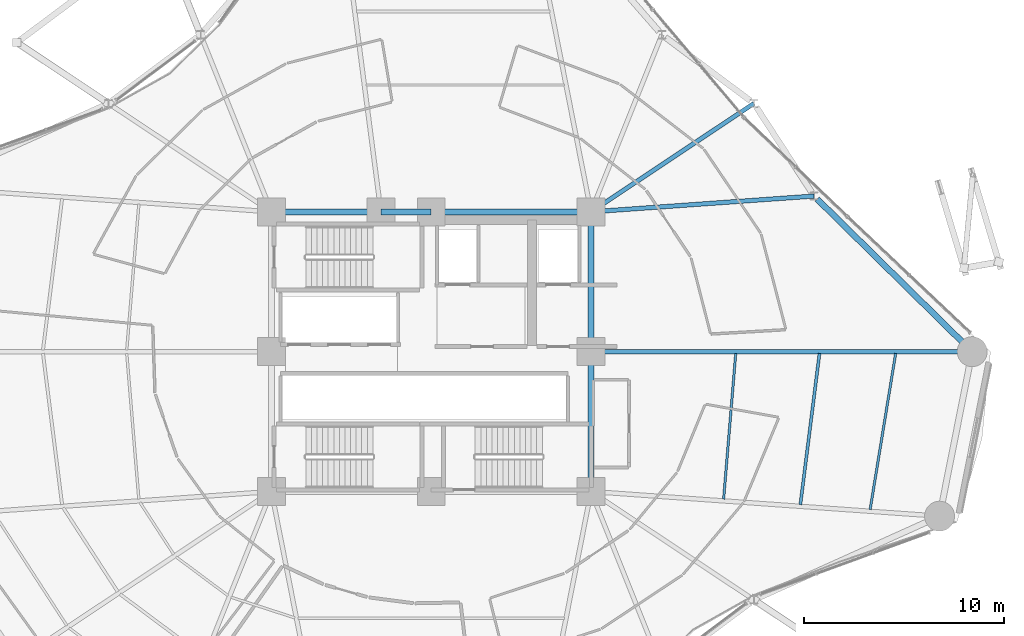
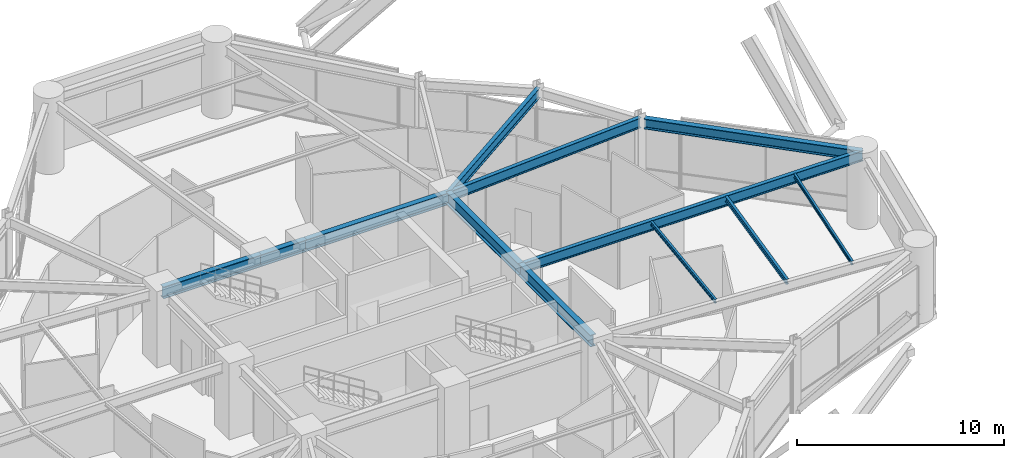
# One storey, part 25 of 55: 12 beams.
"""IFC4 building model written with IfcOpenShell, lengths in metres."""

import ifcopenshell
import ifcopenshell.guid

model = None  # the IFC model being written
_history = None  # IfcOwnerHistory: only IFC2X3 demands one
_inside = {}  # id of a spatial element -> (the spatial element, [elements in it])
_under = {}  # id of a project, library or spatial element -> (it, [spatial elements below it])
_declared = {}  # id of a project -> (the project, [libraries it declares])
_typed = {}  # id of a type object -> (the type object, [elements of that type])
_made_of = {}  # id of a material, layer set ... -> (it, [elements and type objects made of it])


def new_model(schema):
    """Start an empty IFC model of exactly this schema.

    Asked for "IFC4X3", IfcOpenShell would pick the latest addendum, in which some entities
    have other attributes; the version numbers below select the first issue.
    IFC2X3 requires an IfcOwnerHistory on every rooted entity: one is made here for all.
    """
    global model, _history
    if schema == "IFC4X3":
        model = ifcopenshell.file(schema_version=(4, 3, 0, 0))
    else:
        model = ifcopenshell.file(schema=schema)
    _inside.clear()
    _under.clear()
    _declared.clear()
    _typed.clear()
    _made_of.clear()
    _history = None
    if model.schema == "IFC2X3":
        org = make("IfcOrganization", Name="unknown")
        user = make(
            "IfcPersonAndOrganization",
            ThePerson=make("IfcPerson", FamilyName="unknown"),
            TheOrganization=org,
        )
        app = make(
            "IfcApplication",
            ApplicationDeveloper=org,
            Version="unknown",
            ApplicationFullName="unknown",
            ApplicationIdentifier="unknown",
        )
        _history = make(
            "IfcOwnerHistory",
            OwningUser=user,
            OwningApplication=app,
            ChangeAction="ADDED",
            CreationDate=0,
        )
    return model


def make(cls, **values):
    """One entity of the class cls with the attributes given. An attribute that is None is left unset."""
    return model.create_entity(
        cls, **{name: value for name, value in values.items() if value is not None}
    )


def rooted(cls, **values):
    """An entity with a GlobalId (a new one), such as an element, a storey or a relation."""
    return make(cls, GlobalId=ifcopenshell.guid.new(), OwnerHistory=_history, **values)


def si_unit(unit_type, name, prefix=None):
    """IfcSIUnit, for example si_unit("LENGTHUNIT", "METRE", prefix="MILLI")."""
    return make("IfcSIUnit", UnitType=unit_type, Prefix=prefix, Name=name)


def assignment(units):
    """IfcUnitAssignment: the units of a project."""
    return None if units is None else make("IfcUnitAssignment", Units=units)


def point(xyz):
    """IfcCartesianPoint."""
    return None if xyz is None else make("IfcCartesianPoint", Coordinates=xyz)


def direction(xyz):
    """IfcDirection."""
    return None if xyz is None else make("IfcDirection", DirectionRatios=xyz)


def frame(location, z_axis=None, x_axis=None):
    """IfcAxis2Placement3D, a coordinate frame: its origin and axes. An axis left out is left unset."""
    return make(
        "IfcAxis2Placement3D",
        Location=point(location),
        Axis=direction(z_axis),
        RefDirection=direction(x_axis),
    )


def frame_2d(location, x_axis=None):
    """IfcAxis2Placement2D, a coordinate frame in the plane: its origin and x axis."""
    return make(
        "IfcAxis2Placement2D", Location=point(location), RefDirection=direction(x_axis)
    )


def origin():
    """The frame at (0, 0, 0) with its axes left unset."""
    return frame((0.0, 0.0, 0.0))


def origin_2d():
    """The frame at (0, 0) in the plane with its x axis left unset."""
    return frame_2d((0.0, 0.0))


def place(relative_to, where):
    """IfcLocalPlacement: puts the frame where relative to a parent placement (None: the world)."""
    return make(
        "IfcLocalPlacement", PlacementRelTo=relative_to, RelativePlacement=where
    )


def context(
    kind, dimensions, precision=None, world=None, true_north=None, identifier=None
):
    """IfcGeometricRepresentationContext, for example the 3D "Model" context."""
    return make(
        "IfcGeometricRepresentationContext",
        ContextIdentifier=identifier,
        ContextType=kind,
        CoordinateSpaceDimension=dimensions,
        Precision=precision,
        WorldCoordinateSystem=world,
        TrueNorth=true_north,
    )


def subcontext(parent, identifier, kind, view, scale=None):
    """IfcGeometricRepresentationSubContext, for example "Body" below "Model"."""
    return make(
        "IfcGeometricRepresentationSubContext",
        ContextIdentifier=identifier,
        ContextType=kind,
        ParentContext=parent,
        TargetScale=scale,
        TargetView=view,
    )


def project(units=None, contexts=None):
    """IfcProject with its units and contexts."""
    return rooted(
        "IfcProject",
        Name="project",
        RepresentationContexts=contexts,
        UnitsInContext=assignment(units),
    )


def spatial(cls, under=None, at=None, **own):
    """A site, building, storey or space (cls), placed at a placement, below another one or the project."""
    s = rooted(cls, ObjectPlacement=at, **own)
    if under is not None:
        _under.setdefault(under.id(), (under, []))[1].append(s)
    return s


def profile(cls, at=None, kind="AREA", **sizes):
    """A parametric profile (cls). Its sizes go by their IFC names, for example OverallWidth=200.0."""
    return make(cls, ProfileType=kind, Position=at, **sizes)


def i_section(**sizes):
    """IfcIShapeProfileDef."""
    return profile("IfcIShapeProfileDef", **sizes)


def extrude(swept, where, along, depth):
    """IfcExtrudedAreaSolid: the profile swept, set in the frame where, extruded along a direction by depth."""
    return make(
        "IfcExtrudedAreaSolid",
        SweptArea=swept,
        Position=where,
        ExtrudedDirection=direction(along),
        Depth=depth,
    )


def shape(context_of_items, identifier, shape_type, items):
    """IfcShapeRepresentation: the items that make up one representation, for example the "Body"."""
    return make(
        "IfcShapeRepresentation",
        ContextOfItems=context_of_items,
        RepresentationIdentifier=identifier,
        RepresentationType=shape_type,
        Items=items,
    )


def material(Name=None, Category=None):
    """IfcMaterial."""
    return make("IfcMaterial", Name=Name, Category=Category)


def material_profile(
    of_material, cross_section, Name=None, Category=None, Priority=None
):
    """IfcMaterialProfile: a cross section and its material."""
    return make(
        "IfcMaterialProfile",
        Name=Name,
        Material=of_material,
        Profile=cross_section,
        Priority=Priority,
        Category=Category,
    )


def profile_set(profiles, Name=None, composite=None):
    """IfcMaterialProfileSet."""
    return make(
        "IfcMaterialProfileSet",
        Name=Name,
        MaterialProfiles=profiles,
        CompositeProfile=composite,
    )


def made_of(thing, what):
    """Note that an element or type object is made of a material, layer set ...; save() writes the relation."""
    if what is not None:
        _made_of.setdefault(what.id(), (what, []))[1].append(thing)
    return thing


def type_object(cls, material=None, **own):
    """A type object (cls), such as IfcWallType, which elements share."""
    return made_of(rooted(cls, **own), material)


def element(
    cls,
    number,
    at=None,
    inside=None,
    cuts=None,
    type_object=None,
    material=None,
    context=None,
    identifier="Body",
    shape_type=None,
    held_by="IfcProductDefinitionShape",
    body=None,
    shapes=None,
    **own,
):
    """One element of the class cls, such as IfcWall. Its Tag is "e" and its number.

    at: its placement. inside: the storey or other place that contains it. cuts: it is an
    opening in that element (IfcRelVoidsElement). A single representation is given by context,
    identifier, shape_type and body (its items); several are given by shapes. held_by: the class
    of the entity that holds the representations. save() writes the other relations.
    """
    e = rooted(cls, Tag="e%d" % number, ObjectPlacement=at, **own)
    if body is not None:
        shapes = [shape(context, identifier, shape_type, body)]
    if shapes is not None:
        e.Representation = make(held_by, Representations=shapes)
    if inside is not None:
        _inside.setdefault(inside.id(), (inside, []))[1].append(e)
    if cuts is not None:
        rooted(
            "IfcRelVoidsElement", RelatingBuildingElement=cuts, RelatedOpeningElement=e
        )
    if type_object is not None:
        _typed.setdefault(type_object.id(), (type_object, []))[1].append(e)
    return made_of(e, material)


def aggregate(whole, parts):
    """IfcRelAggregates: a whole, such as a stair, and the parts it consists of."""
    return rooted("IfcRelAggregates", RelatingObject=whole, RelatedObjects=parts)


def save(model, path):
    """Write the relations noted so far, then the file.

    IfcRelAggregates (storeys below a building ...), IfcRelContainedInSpatialStructure (elements
    in a storey), IfcRelDefinesByType, IfcRelAssociatesMaterial and IfcRelDeclares: one each for
    every whole, place, type object, material and project.
    """
    for whole, parts in _under.values():
        aggregate(whole, parts)
    for where, things in _inside.values():
        rooted(
            "IfcRelContainedInSpatialStructure",
            RelatedElements=things,
            RelatingStructure=where,
        )
    for kind, things in _typed.values():
        rooted("IfcRelDefinesByType", RelatedObjects=things, RelatingType=kind)
    for what, things in _made_of.values():
        rooted("IfcRelAssociatesMaterial", RelatedObjects=things, RelatingMaterial=what)
    for by, libraries in _declared.values():
        rooted("IfcRelDeclares", RelatingContext=by, RelatedDefinitions=libraries)
    model.write(path)


model = new_model("IFC4")

# Units and contexts
model_context = context("Model", 3, precision=1e-05, world=origin(), true_north=direction((0.0, 1.0)))
body_context = subcontext(model_context, "Body", "Model", "MODEL_VIEW")
ifc_project = project(units=[si_unit("LENGTHUNIT", "METRE"), si_unit("AREAUNIT", "SQUARE_METRE"), si_unit("VOLUMEUNIT", "CUBIC_METRE"), si_unit("PLANEANGLEUNIT", "RADIAN"), si_unit("MASSUNIT", "GRAM", prefix="KILO")], contexts=[model_context])

# Site, building, storey
site_placement = place(None, origin())
site = spatial("IfcSite", under=ifc_project, at=site_placement, CompositionType="ELEMENT")
building_placement = place(site_placement, origin())
building = spatial("IfcBuilding", under=site, at=building_placement, Name="Kelanora Arch Commons", CompositionType="ELEMENT")
storey_placement = place(building_placement, frame((0.0, 0.0, 4.5)))
storey = spatial("IfcBuildingStorey", under=building, at=storey_placement, Name="L01", CompositionType="ELEMENT", Elevation=4.5)

# Beams
ifc_material = material(Name="Steel S355", Category="steel")
ifc_material_profile_1 = material_profile(ifc_material, i_section(OverallWidth=0.300048828125, OverallDepth=0.699951171875, WebThickness=0.01708984375, FlangeThickness=0.031982421875, FilletRadius=0.027099609375, at=origin_2d()), Name="HEB700")
ifc_profile_set_1 = profile_set([ifc_material_profile_1], Name="Steel S355")
beam_type_1 = type_object("IfcBeamType", Name="BM-CORE-HDR", PredefinedType="BEAM", material=ifc_profile_set_1)
for number, where, z_axis, x_axis, name in (
    (1, (82.0, 51.0, 3.85009765625), (0.0, 1.0, 0.0), (-1.0, 0.0, 0.0), "Core Header Beam 03 L01"),
    (2, (82.0, 58.0, 3.85009765625), (0.0, 1.0, 0.0), (-1.0, 0.0, 0.0), "Core Header Beam 04 L01"),
):
    element("IfcBeam", number, at=place(storey_placement, frame(where, z_axis=z_axis, x_axis=x_axis)), inside=storey, type_object=beam_type_1, Name=name, PredefinedType="BEAM", context=body_context, shape_type="SweptSolid", body=[
        extrude(i_section(OverallWidth=0.300048828125, OverallDepth=0.699951171875, WebThickness=0.01708984375, FlangeThickness=0.031982421875, FilletRadius=0.027099609375, at=origin_2d()), origin(), (0.0, 0.0, 1.0), 7.0),
    ])
beam_1_placement = place(storey_placement, frame((82.0, 65.0, 3.85009765625), z_axis=(-1.0, 0.0, 0.0), x_axis=(0.0, -1.0, 0.0)))
element("IfcBeam", 3, at=beam_1_placement, inside=storey, type_object=beam_type_1, Name="Core Header Beam 05 L01", PredefinedType="BEAM", context=body_context, shape_type="SweptSolid", body=[
    extrude(i_section(OverallWidth=0.300048828125, OverallDepth=0.699951171875, WebThickness=0.01708984375, FlangeThickness=0.031982421875, FilletRadius=0.027099609375, at=origin_2d()), origin(), (0.0, 0.0, 1.0), 8.0),
])
beam_2_placement = place(storey_placement, frame((74.0, 65.0, 3.85009765625), z_axis=(-1.0, 0.0, 0.0), x_axis=(0.0, -1.0, 0.0)))
element("IfcBeam", 4, at=beam_2_placement, inside=storey, type_object=beam_type_1, Name="Core Header Beam 06 L01", PredefinedType="BEAM", context=body_context, shape_type="SweptSolid", body=[
    extrude(i_section(OverallWidth=0.300048828125, OverallDepth=0.699951171875, WebThickness=0.01708984375, FlangeThickness=0.031982421875, FilletRadius=0.027099609375, at=origin_2d()), origin(), (0.0, 0.0, 1.0), 2.52001953125),
])
beam_3_placement = place(storey_placement, frame((71.47998046875, 65.0, 3.85009765625), z_axis=(-1.0, 0.0, 0.0), x_axis=(0.0, -1.0, 0.0)))
element("IfcBeam", 5, at=beam_3_placement, inside=storey, type_object=beam_type_1, Name="Core Header Beam 07 L01", PredefinedType="BEAM", context=body_context, shape_type="SweptSolid", body=[
    extrude(i_section(OverallWidth=0.300048828125, OverallDepth=0.699951171875, WebThickness=0.01708984375, FlangeThickness=0.031982421875, FilletRadius=0.027099609375, at=origin_2d()), origin(), (0.0, 0.0, 1.0), 5.47998046875),
])
ifc_material_profile_2 = material_profile(ifc_material, i_section(OverallWidth=0.14990234375, OverallDepth=0.300048828125, WebThickness=0.007080078125, FlangeThickness=0.0107421875, FilletRadius=0.014892578125, at=origin_2d()), Name="IPE300")
ifc_profile_set_2 = profile_set([ifc_material_profile_2], Name="Steel S355")
beam_type_2 = type_object("IfcBeamType", Name="BM-JST-01", PredefinedType="JOIST", material=ifc_profile_set_2)
beam_4_placement = place(storey_placement, frame((92.478759765625, 50.3427734375, 4.050048828125), z_axis=(0.125565841651, 0.992085288375, 0.0), x_axis=(-0.992085288375, 0.125565841651, 0.0)))
element("IfcBeam", 6, at=beam_4_placement, inside=storey, type_object=beam_type_2, Name="Secondary Chord Joist BJB-34 L01", PredefinedType="JOIST", context=body_context, shape_type="SweptSolid", body=[
    extrude(i_section(OverallWidth=0.14990234375, OverallDepth=0.300048828125, WebThickness=0.007080078125, FlangeThickness=0.0107421875, FilletRadius=0.014892578125, at=origin_2d()), origin(), (0.0, 0.0, 1.0), 7.63330078125),
])
ifc_material_profile_3 = material_profile(ifc_material, i_section(OverallWidth=0.1201171875, OverallDepth=0.239990234375, WebThickness=0.006103515625, FlangeThickness=0.009765625, FilletRadius=0.014892578125, at=origin_2d()), Name="IPE240")
ifc_profile_set_3 = profile_set([ifc_material_profile_3], Name="Steel S355")
beam_type_3 = type_object("IfcBeamType", Name="BM-JST-02", PredefinedType="JOIST", material=ifc_profile_set_3)
beam_5_placement = place(storey_placement, frame((88.636962890625, 50.614990234375, 4.080078125), z_axis=(0.082786209886, 0.996567330115, 0.0), x_axis=(-0.996567330115, 0.082786209886, 0.0)))
element("IfcBeam", 7, at=beam_5_placement, inside=storey, type_object=beam_type_3, Name="Secondary Chord Joist BJA-34 L01", PredefinedType="JOIST", context=body_context, shape_type="SweptSolid", body=[
    extrude(i_section(OverallWidth=0.1201171875, OverallDepth=0.239990234375, WebThickness=0.006103515625, FlangeThickness=0.009765625, FilletRadius=0.014892578125, at=origin_2d()), origin(), (0.0, 0.0, 1.0), 7.325439453125),
])
beam_6_placement = place(storey_placement, frame((95.97119140625, 50.09521484375, 4.080078125), z_axis=(0.161400737199, 0.986888951216, 0.0), x_axis=(-0.986888951216, 0.161400737199, 0.0)))
element("IfcBeam", 8, at=beam_6_placement, inside=storey, type_object=beam_type_3, Name="Secondary Chord Joist BJC-34 L01", PredefinedType="JOIST", context=body_context, shape_type="SweptSolid", body=[
    extrude(i_section(OverallWidth=0.1201171875, OverallDepth=0.239990234375, WebThickness=0.006103515625, FlangeThickness=0.009765625, FilletRadius=0.014892578125, at=origin_2d()), origin(), (0.0, 0.0, 1.0), 7.9248046875),
])
ifc_material_profile_4 = material_profile(ifc_material, i_section(OverallWidth=0.219970703125, OverallDepth=0.60009765625, WebThickness=0.011962890625, FlangeThickness=0.01904296875, FilletRadius=0.02392578125, at=origin_2d()), Name="IPE600")
ifc_profile_set_4 = profile_set([ifc_material_profile_4], Name="Steel S355")
beam_type_4 = type_object("IfcBeamType", Name="BM-RAD-Z1", PredefinedType="BEAM", material=ifc_profile_set_4)
beam_7_placement = place(storey_placement, frame((82.0, 58.0, 3.89990234375), z_axis=(1.0, 0.0, 0.0), x_axis=(0.0, 1.0, 0.0)))
element("IfcBeam", 9, at=beam_7_placement, inside=storey, type_object=beam_type_4, Name="Radial Floor Girder BR-00 L01", PredefinedType="BEAM", context=body_context, shape_type="SweptSolid", body=[
    extrude(i_section(OverallWidth=0.219970703125, OverallDepth=0.60009765625, WebThickness=0.011962890625, FlangeThickness=0.01904296875, FilletRadius=0.02392578125, at=origin_2d()), origin(), (0.0, 0.0, 1.0), 19.080078125),
])
beam_8_placement = place(storey_placement, frame((82.0, 65.0, 3.89990234375), z_axis=(0.997500156706, 0.070664258084, 0.0), x_axis=(-0.070664258084, 0.997500156706, 0.0)))
element("IfcBeam", 10, at=beam_8_placement, inside=storey, type_object=beam_type_4, Name="Radial Floor Girder BR-02 L01", PredefinedType="BEAM", context=body_context, shape_type="SweptSolid", body=[
    extrude(i_section(OverallWidth=0.219970703125, OverallDepth=0.60009765625, WebThickness=0.011962890625, FlangeThickness=0.01904296875, FilletRadius=0.02392578125, at=origin_2d()), origin(), (0.0, 0.0, 1.0), 11.194091796875),
])
beam_9_placement = place(storey_placement, frame((82.0, 65.0, 3.89990234375), z_axis=(0.832598158113, 0.553877519951, 0.0), x_axis=(-0.553877519951, 0.832598158113, 0.0)))
element("IfcBeam", 11, at=beam_9_placement, inside=storey, type_object=beam_type_4, Name="Radial Floor Girder BR-04 L01", PredefinedType="BEAM", context=body_context, shape_type="SweptSolid", body=[
    extrude(i_section(OverallWidth=0.219970703125, OverallDepth=0.60009765625, WebThickness=0.011962890625, FlangeThickness=0.01904296875, FilletRadius=0.02392578125, at=origin_2d()), origin(), (0.0, 0.0, 1.0), 9.79638671875),
])
ifc_material_profile_5 = material_profile(ifc_material, i_section(OverallWidth=0.300048828125, OverallDepth=0.60009765625, WebThickness=0.015380859375, FlangeThickness=0.030029296875, FilletRadius=0.027099609375, at=origin_2d()), Name="HEB600")
ifc_profile_set_5 = profile_set([ifc_material_profile_5], Name="Steel S355")
beam_type_5 = type_object("IfcBeamType", Name="BM-SPN-Z1", PredefinedType="SPANDREL", material=ifc_profile_set_5)
beam_10_placement = place(storey_placement, frame((101.080078125, 58.0, 3.89990234375), z_axis=(-0.712624777601, 0.701545384383, 0.0), x_axis=(-0.701545384383, -0.712624777601, 0.0)))
element("IfcBeam", 12, at=beam_10_placement, inside=storey, type_object=beam_type_5, Name="Perimeter Spandrel Beam BS-00 L01", PredefinedType="SPANDREL", context=body_context, shape_type="SweptSolid", body=[
    extrude(i_section(OverallWidth=0.300048828125, OverallDepth=0.60009765625, WebThickness=0.015380859375, FlangeThickness=0.030029296875, FilletRadius=0.027099609375, at=origin_2d()), origin(), (0.0, 0.0, 1.0), 10.885498046875),
])

save(model, "model.ifc")
